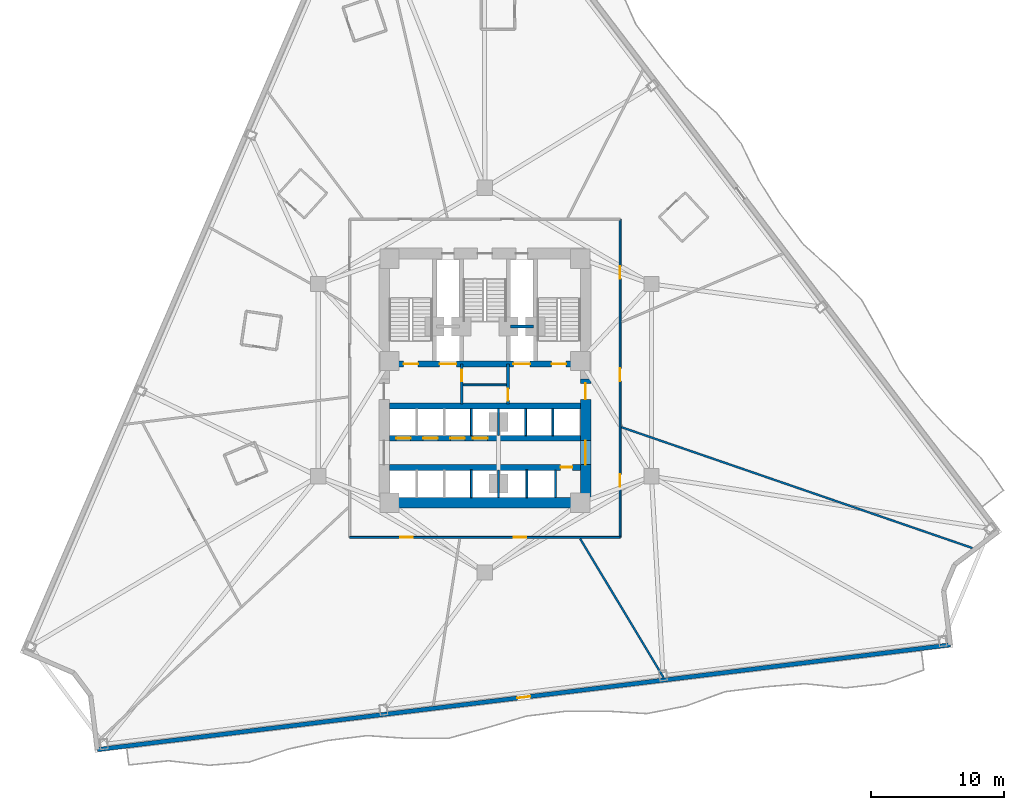
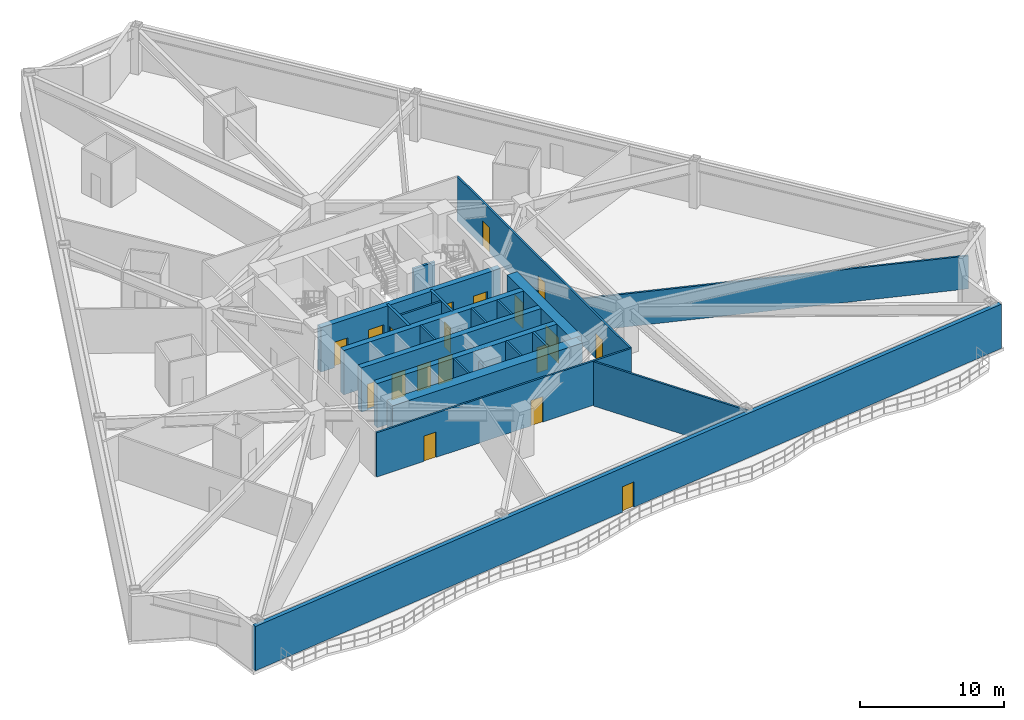
# One storey, part 4 of 10: 23 walls, 19 doors, 19 openings.
"""IFC4 building model written with IfcOpenShell, lengths in metres."""

from ifc_helpers import new_model, si_unit, direction, frame, frame_2d, origin, place, context, subcontext, project, spatial, rectangle, extrude, material, layer, layer_set, type_object, element, fill, save


model = new_model("IFC4")

# Units and contexts
model_context = context("Model", 3, precision=1e-05, world=origin(), true_north=direction((0.0, 1.0)))
body_context = subcontext(model_context, "Body", "Model", "MODEL_VIEW")
ifc_project = project(units=[si_unit("LENGTHUNIT", "METRE"), si_unit("AREAUNIT", "SQUARE_METRE"), si_unit("VOLUMEUNIT", "CUBIC_METRE"), si_unit("PLANEANGLEUNIT", "RADIAN"), si_unit("MASSUNIT", "GRAM", prefix="KILO")], contexts=[model_context])

# Site, building, storey
site_placement = place(None, origin())
site = spatial("IfcSite", under=ifc_project, at=site_placement, CompositionType="ELEMENT")
building_placement = place(site_placement, origin())
building = spatial("IfcBuilding", under=site, at=building_placement, Name="Apsidion Concourse Tower", CompositionType="ELEMENT")
storey_placement = place(building_placement, frame((0.0, 0.0, 87.0)))
storey = spatial("IfcBuildingStorey", under=building, at=storey_placement, Name="L19", CompositionType="ELEMENT", Elevation=87.0)

# Wall, opening, door
ifc_material_1 = material(Name="Precast concrete C40/50", Category="concrete")
ifc_layer_1 = layer(ifc_material_1, 0.320068359375)
ifc_layer_set_1 = layer_set([ifc_layer_1], Name="Precast concrete C40/50")
wall_type_1 = type_object("IfcWallType", Name="WL-EXT-320", PredefinedType="STANDARD", material=ifc_layer_set_1)
wall_1_placement = place(storey_placement, frame((35.0908203125, -19.961181640625, 0.0), z_axis=(0.0, 0.0, 1.0), x_axis=(-0.992546286146, -0.121868247946, 0.0)))
wall_1 = element("IfcWall", 1, at=wall_1_placement, inside=storey, type_object=wall_type_1, Name="L19 Precast Stone Facade Wall 05", PredefinedType="STANDARD", context=body_context, shape_type="SweptSolid", body=[
    extrude(rectangle(XDim=64.793212890625, YDim=0.320068359375, at=frame_2d((32.396484375, 0.0))), origin(), (0.0, 0.0, 1.0), 3.75),
])
opening_1_placement = place(wall_1_placement, frame((31.896728515625, 0.0, 0.0)))
opening_1 = element("IfcOpeningElement", 2, at=opening_1_placement, cuts=wall_1, Name="Opening D-T1R", PredefinedType="OPENING", context=body_context, shape_type="SweptSolid", body=[
    extrude(rectangle(XDim=1.0, YDim=2.14990234375, at=frame_2d((0.5, 1.074951171875))), frame((0.0, 0.169921875, 0.0), z_axis=(0.0, -1.0, 0.0), x_axis=(1.0, 0.0, 0.0)), (0.0, 0.0, 1.0), 0.340087890625),
])
ifc_material_2 = material(Name="Anodised aluminium EN AW-6063 T6", Category="aluminium")
door_type_1 = type_object("IfcDoorType", Name="DR-TER-1022R", OperationType="SINGLE_SWING_RIGHT", PredefinedType="DOOR", material=ifc_material_2)
door_1_placement = place(opening_1_placement, origin())
door_1 = element("IfcDoor", 3, at=door_1_placement, inside=storey, type_object=door_type_1, Name="L19 Balcony Access Door 1", OperationType="SINGLE_SWING_RIGHT", OverallHeight=2.14990234375, OverallWidth=1.0, PredefinedType="DOOR", context=body_context, shape_type="SweptSolid", body=[
    extrude(rectangle(XDim=1.0, YDim=2.14990234375, at=frame_2d((0.5, 1.074951171875))), frame((0.0, 0.02490234375, 0.0), z_axis=(0.0, -1.0, 0.0), x_axis=(1.0, 0.0, 0.0)), (0.0, 0.0, 1.0), 0.050048828125),
])
fill(opening_1, door_1)

# Walls
ifc_material_3 = material(Name="Gypsum plasterboard partition")
ifc_layer_2 = layer(ifc_material_3, 0.14990234375)
ifc_layer_set_2 = layer_set([ifc_layer_2], Name="Gypsum plasterboard partition")
wall_type_2 = type_object("IfcWallType", Name="WL-INT-PAR-150", PredefinedType="PARTITIONING", material=ifc_layer_set_2)
for number, where, z_axis, x_axis, name in (
    (4, (-1.02490234375, -4.179931640625, 0.0), (0.0, 0.0, 1.0), (0.0, 1.0, 0.0), "L19 Interior Partition WL-L19-B1DIV-3"),
    (5, (3.074951171875, -4.179931640625, 0.0), (0.0, 0.0, 1.0), (0.0, 1.0, 0.0), "L19 Interior Partition WL-L19-B3DIV-1"),
    (6, (5.125, -4.179931640625, 0.0), (0.0, 0.0, 1.0), (0.0, 1.0, 0.0), "L19 Interior Partition WL-L19-B3DIV-2"),
):
    element("IfcWall", number, at=place(storey_placement, frame(where, z_axis=z_axis, x_axis=x_axis)), inside=storey, type_object=wall_type_2, Name=name, PredefinedType="PARTITIONING", context=body_context, shape_type="SweptSolid", body=[
        extrude(rectangle(XDim=2.030029296875, YDim=0.14990234375, at=frame_2d((1.01513671875, 0.0))), origin(), (0.0, 0.0, 1.0), 3.75),
    ])
for number, where, z_axis, x_axis, name in (
    (7, (-1.02490234375, -8.85009765625, 0.0), (0.0, 0.0, 1.0), (0.0, 1.0, 0.0), "L19 Interior Partition WL-L19-B2DIV-3"),
    (8, (3.175048828125, -8.85009765625, 0.0), (0.0, 0.0, 1.0), (0.0, 1.0, 0.0), "L19 Interior Partition WL-L19-SHDIV-1"),
):
    element("IfcWall", number, at=place(storey_placement, frame(where, z_axis=z_axis, x_axis=x_axis)), inside=storey, type_object=wall_type_2, Name=name, PredefinedType="PARTITIONING", context=body_context, shape_type="SweptSolid", body=[
        extrude(rectangle(XDim=2.080078125, YDim=0.14990234375, at=frame_2d((1.0400390625, 0.0))), origin(), (0.0, 0.0, 1.0), 3.75),
    ])
wall_2_placement = place(storey_placement, frame((-1.6298828125, -0.35009765625, 0.0), z_axis=(0.0, 0.0, 1.0), x_axis=(1.0, 0.0, 0.0)))
element("IfcWall", 9, at=wall_2_placement, inside=storey, type_object=wall_type_2, Name="L19 Interior Partition WL-L19-K2H", PredefinedType="PARTITIONING", context=body_context, shape_type="SweptSolid", body=[
    extrude(rectangle(XDim=3.259765625, YDim=0.14990234375, at=frame_2d((1.6298828125, 0.0))), origin(), (0.0, 0.0, 1.0), 3.75),
])

# Wall, openings, doors
wall_3_placement = place(storey_placement, frame((10.199951171875, 12.14990234375, 0.0), z_axis=(0.0, 0.0, 1.0), x_axis=(0.0, -1.0, 0.0)))
wall_3 = element("IfcWall", 10, at=wall_3_placement, inside=storey, type_object=wall_type_2, Name="L19 Interior Partition WL-L19-CORR-02", PredefinedType="PARTITIONING", context=body_context, shape_type="SweptSolid", body=[
    extrude(rectangle(XDim=24.0, YDim=0.14990234375, at=frame_2d((12.0, 0.0))), origin(), (0.0, 0.0, 1.0), 3.75),
])
opening_2_placement = place(wall_3_placement, frame((19.245849609375, 0.0, 0.0)))
opening_2 = element("IfcOpeningElement", 11, at=opening_2_placement, cuts=wall_3, Name="Opening D-01R", PredefinedType="OPENING", context=body_context, shape_type="SweptSolid", body=[
    extrude(rectangle(XDim=0.949951171875, YDim=2.14990234375, at=frame_2d((0.47509765625, 1.074951171875))), frame((0.0, 0.0849609375, 0.0), z_axis=(0.0, -1.0, 0.0), x_axis=(1.0, 0.0, 0.0)), (0.0, 0.0, 1.0), 0.169921875),
])
opening_3_placement = place(wall_3_placement, frame((11.263427734375, 0.0, 0.0)))
opening_3 = element("IfcOpeningElement", 12, at=opening_3_placement, cuts=wall_3, Name="Opening D-01L", PredefinedType="OPENING", context=body_context, shape_type="SweptSolid", body=[
    extrude(rectangle(XDim=0.949951171875, YDim=2.14990234375, at=frame_2d((0.47509765625, 1.074951171875))), frame((0.0, 0.0849609375, 0.0), z_axis=(0.0, -1.0, 0.0), x_axis=(1.0, 0.0, 0.0)), (0.0, 0.0, 1.0), 0.169921875),
])
opening_4_placement = place(wall_3_placement, frame((3.54248046875, 0.0, 0.0)))
opening_4 = element("IfcOpeningElement", 13, at=opening_4_placement, cuts=wall_3, Name="Opening D-01R", PredefinedType="OPENING", context=body_context, shape_type="SweptSolid", body=[
    extrude(rectangle(XDim=0.949951171875, YDim=2.14990234375, at=frame_2d((0.47509765625, 1.074951171875))), frame((0.0, 0.0849609375, 0.0), z_axis=(0.0, -1.0, 0.0), x_axis=(1.0, 0.0, 0.0)), (0.0, 0.0, 1.0), 0.169921875),
])
ifc_material_4 = material(Name="Brushed stainless steel 316", Category="steel")
door_type_2 = type_object("IfcDoorType", Name="DR-INT-D01L", OperationType="SINGLE_SWING_LEFT", PredefinedType="DOOR", material=ifc_material_4)
door_2_placement = place(opening_3_placement, origin())
door_2 = element("IfcDoor", 14, at=door_2_placement, inside=storey, type_object=door_type_2, Name="L19 Corridor Entry Door 05", OperationType="SINGLE_SWING_LEFT", OverallHeight=2.14990234375, OverallWidth=0.949951171875, PredefinedType="DOOR", context=body_context, shape_type="SweptSolid", body=[
    extrude(rectangle(XDim=0.949951171875, YDim=2.14990234375, at=frame_2d((0.47509765625, 1.074951171875))), frame((0.0, 0.02490234375, 0.0), z_axis=(0.0, -1.0, 0.0), x_axis=(1.0, 0.0, 0.0)), (0.0, 0.0, 1.0), 0.050048828125),
])
fill(opening_3, door_2)
door_type_3 = type_object("IfcDoorType", Name="DR-INT-D01R", OperationType="SINGLE_SWING_RIGHT", PredefinedType="DOOR", material=ifc_material_4)
door_3_placement = place(opening_2_placement, origin())
door_3 = element("IfcDoor", 15, at=door_3_placement, inside=storey, type_object=door_type_3, Name="L19 Corridor Entry Door 04", OperationType="SINGLE_SWING_RIGHT", OverallHeight=2.14990234375, OverallWidth=0.949951171875, PredefinedType="DOOR", context=body_context, shape_type="SweptSolid", body=[
    extrude(rectangle(XDim=0.949951171875, YDim=2.14990234375, at=frame_2d((0.47509765625, 1.074951171875))), frame((0.0, 0.02490234375, 0.0), z_axis=(0.0, -1.0, 0.0), x_axis=(1.0, 0.0, 0.0)), (0.0, 0.0, 1.0), 0.050048828125),
])
fill(opening_2, door_3)
door_4_placement = place(opening_4_placement, origin())
door_4 = element("IfcDoor", 16, at=door_4_placement, inside=storey, type_object=door_type_3, Name="L19 Corridor Entry Door 06", OperationType="SINGLE_SWING_RIGHT", OverallHeight=2.14990234375, OverallWidth=0.949951171875, PredefinedType="DOOR", context=body_context, shape_type="SweptSolid", body=[
    extrude(rectangle(XDim=0.949951171875, YDim=2.14990234375, at=frame_2d((0.47509765625, 1.074951171875))), frame((0.0, 0.02490234375, 0.0), z_axis=(0.0, -1.0, 0.0), x_axis=(1.0, 0.0, 0.0)), (0.0, 0.0, 1.0), 0.050048828125),
])
fill(opening_4, door_4)

wall_4_placement = place(storey_placement, frame((10.199951171875, -11.85009765625, 0.0), z_axis=(0.0, 0.0, 1.0), x_axis=(-1.0, 0.0, 0.0)))
wall_4 = element("IfcWall", 17, at=wall_4_placement, inside=storey, type_object=wall_type_2, Name="L19 Interior Partition WL-L19-CORR-03", PredefinedType="PARTITIONING", context=body_context, shape_type="SweptSolid", body=[
    extrude(rectangle(XDim=20.39990234375, YDim=0.14990234375, at=frame_2d((10.199951171875, 0.0))), origin(), (0.0, 0.0, 1.0), 3.75),
])
opening_5_placement = place(wall_4_placement, frame((15.64306640625, 0.0, 0.0)))
opening_5 = element("IfcOpeningElement", 18, at=opening_5_placement, cuts=wall_4, Name="Opening D-01R", PredefinedType="OPENING", context=body_context, shape_type="SweptSolid", body=[
    extrude(rectangle(XDim=0.949951171875, YDim=2.14990234375, at=frame_2d((0.47509765625, 1.074951171875))), frame((0.0, 0.0849609375, 0.0), z_axis=(0.0, -1.0, 0.0), x_axis=(1.0, 0.0, 0.0)), (0.0, 0.0, 1.0), 0.169921875),
])
opening_6_placement = place(wall_4_placement, frame((7.083251953125, 0.0, 0.0)))
opening_6 = element("IfcOpeningElement", 19, at=opening_6_placement, cuts=wall_4, Name="Opening D-01L", PredefinedType="OPENING", context=body_context, shape_type="SweptSolid", body=[
    extrude(rectangle(XDim=0.949951171875, YDim=2.14990234375, at=frame_2d((0.47509765625, 1.074951171875))), frame((0.0, 0.0849609375, 0.0), z_axis=(0.0, -1.0, 0.0), x_axis=(1.0, 0.0, 0.0)), (0.0, 0.0, 1.0), 0.169921875),
])
door_5_placement = place(opening_6_placement, origin())
door_5 = element("IfcDoor", 20, at=door_5_placement, inside=storey, type_object=door_type_2, Name="L19 Corridor Entry Door 03", OperationType="SINGLE_SWING_LEFT", OverallHeight=2.14990234375, OverallWidth=0.949951171875, PredefinedType="DOOR", context=body_context, shape_type="SweptSolid", body=[
    extrude(rectangle(XDim=0.949951171875, YDim=2.14990234375, at=frame_2d((0.47509765625, 1.074951171875))), frame((0.0, 0.02490234375, 0.0), z_axis=(0.0, -1.0, 0.0), x_axis=(1.0, 0.0, 0.0)), (0.0, 0.0, 1.0), 0.050048828125),
])
fill(opening_6, door_5)
door_6_placement = place(opening_5_placement, origin())
door_6 = element("IfcDoor", 21, at=door_6_placement, inside=storey, type_object=door_type_3, Name="L19 Corridor Entry Door 02", OperationType="SINGLE_SWING_RIGHT", OverallHeight=2.14990234375, OverallWidth=0.949951171875, PredefinedType="DOOR", context=body_context, shape_type="SweptSolid", body=[
    extrude(rectangle(XDim=0.949951171875, YDim=2.14990234375, at=frame_2d((0.47509765625, 1.074951171875))), frame((0.0, 0.02490234375, 0.0), z_axis=(0.0, -1.0, 0.0), x_axis=(1.0, 0.0, 0.0)), (0.0, 0.0, 1.0), 0.050048828125),
])
fill(opening_5, door_6)

# Walls
wall_5_placement = place(storey_placement, frame((7.183349609375, -11.955078125, 0.0), z_axis=(0.0, 0.0, 1.0), x_axis=(0.515041693949, -0.857165126154, 0.0)))
element("IfcWall", 22, at=wall_5_placement, inside=storey, type_object=wall_type_2, Name="L19 Interior Partition WL-L19-RAD-09-1", PredefinedType="PARTITIONING", context=body_context, shape_type="SweptSolid", body=[
    extrude(rectangle(XDim=12.229736328125, YDim=0.14990234375, at=frame_2d((6.11474609375, 0.0))), origin(), (0.0, 0.0, 1.0), 3.75),
])
wall_6_placement = place(storey_placement, frame((10.304931640625, -3.54833984375, 0.0), z_axis=(0.0, 0.0, 1.0), x_axis=(0.9455199321, -0.325564214867, 0.0)))
element("IfcWall", 23, at=wall_6_placement, inside=storey, type_object=wall_type_2, Name="L19 Interior Partition WL-L19-RAD-10-1", PredefinedType="PARTITIONING", context=body_context, shape_type="SweptSolid", body=[
    extrude(rectangle(XDim=27.983154296875, YDim=0.14990234375, at=frame_2d((13.99169921875, 0.0))), origin(), (0.0, 0.0, 1.0), 2.798095703125),
])
ifc_layer_3 = layer(ifc_material_3, 0.179931640625)
ifc_layer_set_3 = layer_set([ifc_layer_3], Name="Gypsum plasterboard partition")
wall_type_3 = type_object("IfcWallType", Name="WL-INT-PAR-180", PredefinedType="PARTITIONING", material=ifc_layer_set_3)
wall_7_placement = place(storey_placement, frame((1.02490234375, -4.179931640625, 0.0), z_axis=(0.0, 0.0, 1.0), x_axis=(0.0, 1.0, 0.0)))
element("IfcWall", 24, at=wall_7_placement, inside=storey, type_object=wall_type_3, Name="L19 Interior Partition WL-L19-B1END", PredefinedType="PARTITIONING", context=body_context, shape_type="SweptSolid", body=[
    extrude(rectangle(XDim=2.030029296875, YDim=0.179931640625, at=frame_2d((1.01513671875, 0.0))), origin(), (0.0, 0.0, 1.0), 2.798095703125),
])
wall_8_placement = place(storey_placement, frame((1.02490234375, -8.85009765625, 0.0), z_axis=(0.0, 0.0, 1.0), x_axis=(0.0, 1.0, 0.0)))
element("IfcWall", 25, at=wall_8_placement, inside=storey, type_object=wall_type_3, Name="L19 Interior Partition WL-L19-B2END", PredefinedType="PARTITIONING", context=body_context, shape_type="SweptSolid", body=[
    extrude(rectangle(XDim=2.080078125, YDim=0.179931640625, at=frame_2d((1.0400390625, 0.0))), origin(), (0.0, 0.0, 1.0), 2.798095703125),
])
wall_9_placement = place(storey_placement, frame((5.324951171875, -8.85009765625, 0.0), z_axis=(0.0, 0.0, 1.0), x_axis=(0.0, 1.0, 0.0)))
element("IfcWall", 26, at=wall_9_placement, inside=storey, type_object=wall_type_3, Name="L19 Interior Partition WL-L19-SHDIV-2", PredefinedType="PARTITIONING", context=body_context, shape_type="SweptSolid", body=[
    extrude(rectangle(XDim=2.080078125, YDim=0.179931640625, at=frame_2d((1.0400390625, 0.0))), origin(), (0.0, 0.0, 1.0), 3.75),
])
ifc_layer_4 = layer(ifc_material_3, 0.199951171875)
ifc_layer_set_4 = layer_set([ifc_layer_4], Name="Gypsum plasterboard partition")
wall_type_4 = type_object("IfcWallType", Name="WL-INT-PAR-200", PredefinedType="PARTITIONING", material=ifc_layer_set_4)
wall_10_placement = place(storey_placement, frame((1.919921875, 4.050048828125, 0.0), z_axis=(0.0, 0.0, 1.0), x_axis=(1.0, 0.0, 0.0)))
element("IfcWall", 27, at=wall_10_placement, inside=storey, type_object=wall_type_4, Name="L19 Interior Partition WL-L19-FF2-N", PredefinedType="PARTITIONING", context=body_context, shape_type="SweptSolid", body=[
    extrude(rectangle(XDim=1.72998046875, YDim=0.199951171875, at=frame_2d((0.864990234375, 0.0))), origin(), (0.0, 0.0, 1.0), 3.75),
])

# Wall, opening, door
wall_11_placement = place(storey_placement, frame((-1.739990234375, -1.780029296875, 0.0), z_axis=(0.0, 0.0, 1.0), x_axis=(0.0, 1.0, 0.0)))
wall_11 = element("IfcWall", 28, at=wall_11_placement, inside=storey, type_object=wall_type_4, Name="L19 Interior Partition WL-L19-FF1-E", PredefinedType="PARTITIONING", context=body_context, shape_type="SweptSolid", body=[
    extrude(rectangle(XDim=2.97998046875, YDim=0.199951171875, at=frame_2d((1.489990234375, 0.0))), origin(), (0.0, 0.0, 1.0), 3.75),
])
opening_7_placement = place(wall_11_placement, frame((1.68994140625, 0.0, 0.0)))
opening_7 = element("IfcOpeningElement", 29, at=opening_7_placement, cuts=wall_11, Name="Opening D-05L", PredefinedType="OPENING", context=body_context, shape_type="SweptSolid", body=[
    extrude(rectangle(XDim=0.8798828125, YDim=2.14990234375, at=frame_2d((0.43994140625, 1.074951171875))), frame((0.0, 0.10986328125, 0.0), z_axis=(0.0, -1.0, 0.0), x_axis=(1.0, 0.0, 0.0)), (0.0, 0.0, 1.0), 0.219970703125),
])
door_type_4 = type_object("IfcDoorType", Name="DR-INT-D05L", OperationType="SINGLE_SWING_LEFT", PredefinedType="DOOR", material=ifc_material_4)
door_7_placement = place(opening_7_placement, origin())
door_7 = element("IfcDoor", 30, at=door_7_placement, inside=storey, type_object=door_type_4, Name="L19 Core Staff WC Door", OperationType="SINGLE_SWING_LEFT", OverallHeight=2.14990234375, OverallWidth=0.8798828125, PredefinedType="DOOR", context=body_context, shape_type="SweptSolid", body=[
    extrude(rectangle(XDim=0.8798828125, YDim=2.14990234375, at=frame_2d((0.43994140625, 1.074951171875))), frame((0.0, 0.02490234375, 0.0), z_axis=(0.0, -1.0, 0.0), x_axis=(1.0, 0.0, 0.0)), (0.0, 0.0, 1.0), 0.050048828125),
])
fill(opening_7, door_7)

wall_12_placement = place(storey_placement, frame((1.739990234375, -1.780029296875, 0.0), z_axis=(0.0, 0.0, 1.0), x_axis=(0.0, 1.0, 0.0)))
wall_12 = element("IfcWall", 31, at=wall_12_placement, inside=storey, type_object=wall_type_4, Name="L19 Interior Partition WL-L19-FF2-W", PredefinedType="PARTITIONING", context=body_context, shape_type="SweptSolid", body=[
    extrude(rectangle(XDim=2.97998046875, YDim=0.199951171875, at=frame_2d((1.489990234375, 0.0))), origin(), (0.0, 0.0, 1.0), 3.75),
])
opening_8_placement = place(wall_12_placement, frame((0.239990234375, 0.0, 0.0)))
opening_8 = element("IfcOpeningElement", 32, at=opening_8_placement, cuts=wall_12, Name="Opening D-05R", PredefinedType="OPENING", context=body_context, shape_type="SweptSolid", body=[
    extrude(rectangle(XDim=0.8798828125, YDim=2.14990234375, at=frame_2d((0.43994140625, 1.074951171875))), frame((0.0, 0.10986328125, 0.0), z_axis=(0.0, -1.0, 0.0), x_axis=(1.0, 0.0, 0.0)), (0.0, 0.0, 1.0), 0.219970703125),
])
door_type_5 = type_object("IfcDoorType", Name="DR-INT-D05R", OperationType="SINGLE_SWING_RIGHT", PredefinedType="DOOR", material=ifc_material_4)
door_8_placement = place(opening_8_placement, origin())
door_8 = element("IfcDoor", 33, at=door_8_placement, inside=storey, type_object=door_type_5, Name="L19 Core Supply Store Door", OperationType="SINGLE_SWING_RIGHT", OverallHeight=2.14990234375, OverallWidth=0.8798828125, PredefinedType="DOOR", context=body_context, shape_type="SweptSolid", body=[
    extrude(rectangle(XDim=0.8798828125, YDim=2.14990234375, at=frame_2d((0.43994140625, 1.074951171875))), frame((0.0, 0.02490234375, 0.0), z_axis=(0.0, -1.0, 0.0), x_axis=(1.0, 0.0, 0.0)), (0.0, 0.0, 1.0), 0.050048828125),
])
fill(opening_8, door_8)

# Wall, openings, doors
ifc_material_5 = material(Name="Concrete C60/75", Category="concrete")
ifc_layer_5 = layer(ifc_material_5, 0.449951171875)
ifc_layer_set_5 = layer_set([ifc_layer_5], Name="Concrete C60/75")
wall_type_5 = type_object("IfcWallType", Name="WL-SH-450", PredefinedType="SHEAR", material=ifc_layer_set_5)
wall_13_placement = place(storey_placement, frame((-7.199951171875, 1.22509765625, 0.0), z_axis=(0.0, 0.0, 1.0), x_axis=(1.0, 0.0, 0.0)))
wall_13 = element("IfcWall", 34, at=wall_13_placement, inside=storey, type_object=wall_type_5, Name="L19 Central Core Shear Wall M1", PredefinedType="SHEAR", context=body_context, shape_type="SweptSolid", body=[
    extrude(rectangle(XDim=14.39990234375, YDim=0.449951171875, at=frame_2d((7.199951171875, 0.0))), origin(), (0.0, 0.0, 1.0), 3.75),
])
opening_9_placement = place(wall_13_placement, frame((3.794921875, 0.0, 0.0)))
opening_9 = element("IfcOpeningElement", 35, at=opening_9_placement, cuts=wall_13, Name="Opening LD-FF", PredefinedType="OPENING", context=body_context, shape_type="SweptSolid", body=[
    extrude(rectangle(XDim=1.25, YDim=2.25, at=frame_2d((0.625, 1.125))), frame((0.0, 0.23486328125, 0.0), z_axis=(0.0, -1.0, 0.0), x_axis=(1.0, 0.0, 0.0)), (0.0, 0.0, 1.0), 0.469970703125),
])
opening_10_placement = place(wall_13_placement, frame((9.35498046875, 0.0, 0.0)))
opening_10 = element("IfcOpeningElement", 36, at=opening_10_placement, cuts=wall_13, Name="Opening LD-FF", PredefinedType="OPENING", context=body_context, shape_type="SweptSolid", body=[
    extrude(rectangle(XDim=1.25, YDim=2.25, at=frame_2d((0.625, 1.125))), frame((0.0, 0.23486328125, 0.0), z_axis=(0.0, -1.0, 0.0), x_axis=(1.0, 0.0, 0.0)), (0.0, 0.0, 1.0), 0.469970703125),
])
opening_11_placement = place(wall_13_placement, frame((1.074951171875, 0.0, 0.0)))
opening_11 = element("IfcOpeningElement", 37, at=opening_11_placement, cuts=wall_13, Name="Opening D-STL", PredefinedType="OPENING", context=body_context, shape_type="SweptSolid", body=[
    extrude(rectangle(XDim=1.10009765625, YDim=2.14990234375, at=frame_2d((0.550048828125, 1.074951171875))), frame((0.0, 0.23486328125, 0.0), z_axis=(0.0, -1.0, 0.0), x_axis=(1.0, 0.0, 0.0)), (0.0, 0.0, 1.0), 0.469970703125),
])
opening_12_placement = place(wall_13_placement, frame((12.22509765625, 0.0, 0.0)))
opening_12 = element("IfcOpeningElement", 38, at=opening_12_placement, cuts=wall_13, Name="Opening D-STR", PredefinedType="OPENING", context=body_context, shape_type="SweptSolid", body=[
    extrude(rectangle(XDim=1.10009765625, YDim=2.14990234375, at=frame_2d((0.550048828125, 1.074951171875))), frame((0.0, 0.23486328125, 0.0), z_axis=(0.0, -1.0, 0.0), x_axis=(1.0, 0.0, 0.0)), (0.0, 0.0, 1.0), 0.469970703125),
])
door_type_6 = type_object("IfcDoorType", Name="DR-INT-ST1L", OperationType="SINGLE_SWING_LEFT", PredefinedType="DOOR", material=ifc_material_4)
door_9_placement = place(opening_11_placement, origin())
door_9 = element("IfcDoor", 39, at=door_9_placement, inside=storey, type_object=door_type_6, Name="L19 Core Exit Stair ST1 Door", OperationType="SINGLE_SWING_LEFT", OverallHeight=2.14990234375, OverallWidth=1.10009765625, PredefinedType="DOOR", context=body_context, shape_type="SweptSolid", body=[
    extrude(rectangle(XDim=1.10009765625, YDim=2.14990234375, at=frame_2d((0.550048828125, 1.074951171875))), frame((0.0, 0.02490234375, 0.0), z_axis=(0.0, -1.0, 0.0), x_axis=(1.0, 0.0, 0.0)), (0.0, 0.0, 1.0), 0.050048828125),
])
fill(opening_11, door_9)
door_type_7 = type_object("IfcDoorType", Name="DR-INT-ST1R", OperationType="SINGLE_SWING_RIGHT", PredefinedType="DOOR", material=ifc_material_4)
door_10_placement = place(opening_12_placement, origin())
door_10 = element("IfcDoor", 40, at=door_10_placement, inside=storey, type_object=door_type_7, Name="L19 Core Exit Stair ST2 Door", OperationType="SINGLE_SWING_RIGHT", OverallHeight=2.14990234375, OverallWidth=1.10009765625, PredefinedType="DOOR", context=body_context, shape_type="SweptSolid", body=[
    extrude(rectangle(XDim=1.10009765625, YDim=2.14990234375, at=frame_2d((0.550048828125, 1.074951171875))), frame((0.0, 0.02490234375, 0.0), z_axis=(0.0, -1.0, 0.0), x_axis=(1.0, 0.0, 0.0)), (0.0, 0.0, 1.0), 0.050048828125),
])
fill(opening_12, door_10)
door_type_8 = type_object("IfcDoorType", Name="DR-LD-FSAE", OperationType="DOUBLE_DOOR_SLIDING", PredefinedType="DOOR", material=ifc_material_4)
door_11_placement = place(opening_9_placement, origin())
door_11 = element("IfcDoor", 41, at=door_11_placement, inside=storey, type_object=door_type_8, Name="L19 Lift Landing Door FF1", OperationType="DOUBLE_DOOR_SLIDING", OverallHeight=2.25, OverallWidth=1.25, PredefinedType="DOOR", context=body_context, shape_type="SweptSolid", body=[
    extrude(rectangle(XDim=1.25, YDim=2.25, at=frame_2d((0.625, 1.125))), frame((0.0, 0.02490234375, 0.0), z_axis=(0.0, -1.0, 0.0), x_axis=(1.0, 0.0, 0.0)), (0.0, 0.0, 1.0), 0.050048828125),
])
fill(opening_9, door_11)
door_12_placement = place(opening_10_placement, origin())
door_12 = element("IfcDoor", 42, at=door_12_placement, inside=storey, type_object=door_type_8, Name="L19 Lift Landing Door FF2", OperationType="DOUBLE_DOOR_SLIDING", OverallHeight=2.25, OverallWidth=1.25, PredefinedType="DOOR", context=body_context, shape_type="SweptSolid", body=[
    extrude(rectangle(XDim=1.25, YDim=2.25, at=frame_2d((0.625, 1.125))), frame((0.0, 0.02490234375, 0.0), z_axis=(0.0, -1.0, 0.0), x_axis=(1.0, 0.0, 0.0)), (0.0, 0.0, 1.0), 0.050048828125),
])
fill(opening_10, door_12)

# Wall
wall_14_placement = place(storey_placement, frame((-7.199951171875, -1.949951171875, 0.0), z_axis=(0.0, 0.0, 1.0), x_axis=(1.0, 0.0, 0.0)))
element("IfcWall", 43, at=wall_14_placement, inside=storey, type_object=wall_type_5, Name="L19 Central Core Shear Wall M2", PredefinedType="SHEAR", context=body_context, shape_type="SweptSolid", body=[
    extrude(rectangle(XDim=14.39990234375, YDim=0.449951171875, at=frame_2d((7.199951171875, 0.0))), origin(), (0.0, 0.0, 1.0), 3.75),
])

# Wall, openings, doors
wall_15_placement = place(storey_placement, frame((-7.199951171875, -4.3798828125, 0.0), z_axis=(0.0, 0.0, 1.0), x_axis=(1.0, 0.0, 0.0)))
wall_15 = element("IfcWall", 44, at=wall_15_placement, inside=storey, type_object=wall_type_5, Name="L19 Central Core Shear Wall LA", PredefinedType="SHEAR", context=body_context, shape_type="SweptSolid", body=[
    extrude(rectangle(XDim=14.39990234375, YDim=0.449951171875, at=frame_2d((7.199951171875, 0.0))), origin(), (0.0, 0.0, 1.0), 3.75),
])
opening_13_placement = place(wall_15_placement, frame((0.5, 0.0, 0.0)))
opening_13 = element("IfcOpeningElement", 45, at=opening_13_placement, cuts=wall_15, Name="Opening LD-P1", PredefinedType="OPENING", context=body_context, shape_type="SweptSolid", body=[
    extrude(rectangle(XDim=1.10009765625, YDim=2.199951171875, at=frame_2d((0.550048828125, 1.10009765625))), frame((0.0, 0.23486328125, 0.0), z_axis=(0.0, -1.0, 0.0), x_axis=(1.0, 0.0, 0.0)), (0.0, 0.0, 1.0), 0.469970703125),
])
opening_14_placement = place(wall_15_placement, frame((2.550048828125, 0.0, 0.0)))
opening_14 = element("IfcOpeningElement", 46, at=opening_14_placement, cuts=wall_15, Name="Opening LD-P1", PredefinedType="OPENING", context=body_context, shape_type="SweptSolid", body=[
    extrude(rectangle(XDim=1.10009765625, YDim=2.199951171875, at=frame_2d((0.550048828125, 1.10009765625))), frame((0.0, 0.23486328125, 0.0), z_axis=(0.0, -1.0, 0.0), x_axis=(1.0, 0.0, 0.0)), (0.0, 0.0, 1.0), 0.469970703125),
])
opening_15_placement = place(wall_15_placement, frame((4.60009765625, 0.0, 0.0)))
opening_15 = element("IfcOpeningElement", 47, at=opening_15_placement, cuts=wall_15, Name="Opening LD-P1", PredefinedType="OPENING", context=body_context, shape_type="SweptSolid", body=[
    extrude(rectangle(XDim=1.10009765625, YDim=2.199951171875, at=frame_2d((0.550048828125, 1.10009765625))), frame((0.0, 0.23486328125, 0.0), z_axis=(0.0, -1.0, 0.0), x_axis=(1.0, 0.0, 0.0)), (0.0, 0.0, 1.0), 0.469970703125),
])
opening_16_placement = place(wall_15_placement, frame((6.300048828125, 0.0, 0.0)))
opening_16 = element("IfcOpeningElement", 48, at=opening_16_placement, cuts=wall_15, Name="Opening LD-P1", PredefinedType="OPENING", context=body_context, shape_type="SweptSolid", body=[
    extrude(rectangle(XDim=1.10009765625, YDim=2.199951171875, at=frame_2d((0.550048828125, 1.10009765625))), frame((0.0, 0.23486328125, 0.0), z_axis=(0.0, -1.0, 0.0), x_axis=(1.0, 0.0, 0.0)), (0.0, 0.0, 1.0), 0.469970703125),
])
door_type_9 = type_object("IfcDoorType", Name="DR-LD-PASS", OperationType="DOUBLE_DOOR_SLIDING", PredefinedType="DOOR", material=ifc_material_4)
door_13_placement = place(opening_13_placement, origin())
door_13 = element("IfcDoor", 49, at=door_13_placement, inside=storey, type_object=door_type_9, Name="L19 Lift Landing Door P1", OperationType="DOUBLE_DOOR_SLIDING", OverallHeight=2.199951171875, OverallWidth=1.10009765625, PredefinedType="DOOR", context=body_context, shape_type="SweptSolid", body=[
    extrude(rectangle(XDim=1.10009765625, YDim=2.199951171875, at=frame_2d((0.550048828125, 1.10009765625))), frame((0.0, 0.02490234375, 0.0), z_axis=(0.0, -1.0, 0.0), x_axis=(1.0, 0.0, 0.0)), (0.0, 0.0, 1.0), 0.050048828125),
])
fill(opening_13, door_13)
door_14_placement = place(opening_14_placement, origin())
door_14 = element("IfcDoor", 50, at=door_14_placement, inside=storey, type_object=door_type_9, Name="L19 Lift Landing Door P2", OperationType="DOUBLE_DOOR_SLIDING", OverallHeight=2.199951171875, OverallWidth=1.10009765625, PredefinedType="DOOR", context=body_context, shape_type="SweptSolid", body=[
    extrude(rectangle(XDim=1.10009765625, YDim=2.199951171875, at=frame_2d((0.550048828125, 1.10009765625))), frame((0.0, 0.02490234375, 0.0), z_axis=(0.0, -1.0, 0.0), x_axis=(1.0, 0.0, 0.0)), (0.0, 0.0, 1.0), 0.050048828125),
])
fill(opening_14, door_14)
door_15_placement = place(opening_15_placement, origin())
door_15 = element("IfcDoor", 51, at=door_15_placement, inside=storey, type_object=door_type_9, Name="L19 Lift Landing Door P3", OperationType="DOUBLE_DOOR_SLIDING", OverallHeight=2.199951171875, OverallWidth=1.10009765625, PredefinedType="DOOR", context=body_context, shape_type="SweptSolid", body=[
    extrude(rectangle(XDim=1.10009765625, YDim=2.199951171875, at=frame_2d((0.550048828125, 1.10009765625))), frame((0.0, 0.02490234375, 0.0), z_axis=(0.0, -1.0, 0.0), x_axis=(1.0, 0.0, 0.0)), (0.0, 0.0, 1.0), 0.050048828125),
])
fill(opening_15, door_15)
door_16_placement = place(opening_16_placement, origin())
door_16 = element("IfcDoor", 52, at=door_16_placement, inside=storey, type_object=door_type_9, Name="L19 Lift Landing Door P4", OperationType="DOUBLE_DOOR_SLIDING", OverallHeight=2.199951171875, OverallWidth=1.10009765625, PredefinedType="DOOR", context=body_context, shape_type="SweptSolid", body=[
    extrude(rectangle(XDim=1.10009765625, YDim=2.199951171875, at=frame_2d((0.550048828125, 1.10009765625))), frame((0.0, 0.02490234375, 0.0), z_axis=(0.0, -1.0, 0.0), x_axis=(1.0, 0.0, 0.0)), (0.0, 0.0, 1.0), 0.050048828125),
])
fill(opening_16, door_16)

# Wall, opening, door
wall_16_placement = place(storey_placement, frame((-7.199951171875, -6.570068359375, 0.0), z_axis=(0.0, 0.0, 1.0), x_axis=(1.0, 0.0, 0.0)))
wall_16 = element("IfcWall", 53, at=wall_16_placement, inside=storey, type_object=wall_type_5, Name="L19 Central Core Shear Wall LB", PredefinedType="SHEAR", context=body_context, shape_type="SweptSolid", body=[
    extrude(rectangle(XDim=14.39990234375, YDim=0.449951171875, at=frame_2d((7.199951171875, 0.0))), origin(), (0.0, 0.0, 1.0), 3.75),
])
opening_17_placement = place(wall_16_placement, frame((12.909912109375, 0.0, 0.0)))
opening_17 = element("IfcOpeningElement", 54, at=opening_17_placement, cuts=wall_16, Name="Opening D-05L", PredefinedType="OPENING", context=body_context, shape_type="SweptSolid", body=[
    extrude(rectangle(XDim=0.8798828125, YDim=2.14990234375, at=frame_2d((0.43994140625, 1.074951171875))), frame((0.0, 0.23486328125, 0.0), z_axis=(0.0, -1.0, 0.0), x_axis=(1.0, 0.0, 0.0)), (0.0, 0.0, 1.0), 0.469970703125),
])
door_17_placement = place(opening_17_placement, origin())
door_17 = element("IfcDoor", 55, at=door_17_placement, inside=storey, type_object=door_type_4, Name="L19 Cleaners Store Door", OperationType="SINGLE_SWING_LEFT", OverallHeight=2.14990234375, OverallWidth=0.8798828125, PredefinedType="DOOR", context=body_context, shape_type="SweptSolid", body=[
    extrude(rectangle(XDim=0.8798828125, YDim=2.14990234375, at=frame_2d((0.43994140625, 1.074951171875))), frame((0.0, 0.02490234375, 0.0), z_axis=(0.0, -1.0, 0.0), x_axis=(1.0, 0.0, 0.0)), (0.0, 0.0, 1.0), 0.050048828125),
])
fill(opening_17, door_17)

# Wall, openings, doors
ifc_layer_6 = layer(ifc_material_5, 0.800048828125)
ifc_layer_set_6 = layer_set([ifc_layer_6], Name="Concrete C60/75")
wall_type_6 = type_object("IfcWallType", Name="WL-SH-800", PredefinedType="SHEAR", material=ifc_layer_set_6)
wall_17_placement = place(storey_placement, frame((7.60009765625, -8.85009765625, 0.0), z_axis=(0.0, 0.0, 1.0), x_axis=(0.0, 1.0, 0.0)))
wall_17 = element("IfcWall", 56, at=wall_17_placement, inside=storey, type_object=wall_type_6, Name="L19 Central Core Shear Wall ES", PredefinedType="SHEAR", context=body_context, shape_type="SweptSolid", body=[
    extrude(rectangle(XDim=8.9501953125, YDim=0.800048828125, at=frame_2d((4.47509765625, 0.0))), origin(), (0.0, 0.0, 1.0), 3.75),
])
opening_18_placement = place(wall_17_placement, frame((2.489990234375, 0.0, 0.0)))
opening_18 = element("IfcOpeningElement", 57, at=opening_18_placement, cuts=wall_17, Name="Opening D-06D", PredefinedType="OPENING", context=body_context, shape_type="SweptSolid", body=[
    extrude(rectangle(XDim=1.800048828125, YDim=2.199951171875, at=frame_2d((0.89990234375, 1.10009765625))), frame((0.0, 0.41015625, 0.0), z_axis=(0.0, -1.0, 0.0), x_axis=(1.0, 0.0, 0.0)), (0.0, 0.0, 1.0), 0.820068359375),
])
opening_19_placement = place(wall_17_placement, frame((7.39990234375, 0.0, 0.0)))
opening_19 = element("IfcOpeningElement", 58, at=opening_19_placement, cuts=wall_17, Name="Opening D-FFR", PredefinedType="OPENING", context=body_context, shape_type="SweptSolid", body=[
    extrude(rectangle(XDim=1.199951171875, YDim=2.14990234375, at=frame_2d((0.60009765625, 1.074951171875))), frame((0.0, 0.41015625, 0.0), z_axis=(0.0, -1.0, 0.0), x_axis=(1.0, 0.0, 0.0)), (0.0, 0.0, 1.0), 0.820068359375),
])
door_type_10 = type_object("IfcDoorType", Name="DR-INT-D06D", OperationType="DOUBLE_DOOR_SINGLE_SWING", PredefinedType="DOOR", material=ifc_material_4)
door_18_placement = place(opening_18_placement, origin())
door_18 = element("IfcDoor", 59, at=door_18_placement, inside=storey, type_object=door_type_10, Name="L19 Passenger Lift Lobby ES Portal Door", OperationType="DOUBLE_DOOR_SINGLE_SWING", OverallHeight=2.199951171875, OverallWidth=1.800048828125, PredefinedType="DOOR", context=body_context, shape_type="SweptSolid", body=[
    extrude(rectangle(XDim=1.800048828125, YDim=2.199951171875, at=frame_2d((0.89990234375, 1.10009765625))), frame((0.0, 0.02490234375, 0.0), z_axis=(0.0, -1.0, 0.0), x_axis=(1.0, 0.0, 0.0)), (0.0, 0.0, 1.0), 0.050048828125),
])
fill(opening_18, door_18)
door_type_11 = type_object("IfcDoorType", Name="DR-INT-FFR", OperationType="SINGLE_SWING_RIGHT", PredefinedType="DOOR", material=ifc_material_4)
door_19_placement = place(opening_19_placement, origin())
door_19 = element("IfcDoor", 60, at=door_19_placement, inside=storey, type_object=door_type_11, Name="L19 Firefighting Lift Lobby FF2 Door", OperationType="SINGLE_SWING_RIGHT", OverallHeight=2.14990234375, OverallWidth=1.199951171875, PredefinedType="DOOR", context=body_context, shape_type="SweptSolid", body=[
    extrude(rectangle(XDim=1.199951171875, YDim=2.14990234375, at=frame_2d((0.60009765625, 1.074951171875))), frame((0.0, 0.02490234375, 0.0), z_axis=(0.0, -1.0, 0.0), x_axis=(1.0, 0.0, 0.0)), (0.0, 0.0, 1.0), 0.050048828125),
])
fill(opening_19, door_19)

# Wall
wall_18_placement = place(storey_placement, frame((-7.60009765625, -9.25, 0.0), z_axis=(0.0, 0.0, 1.0), x_axis=(1.0, 0.0, 0.0)))
element("IfcWall", 61, at=wall_18_placement, inside=storey, type_object=wall_type_6, Name="L19 Central Core Shear Wall S", PredefinedType="SHEAR", context=body_context, shape_type="SweptSolid", body=[
    extrude(rectangle(XDim=15.2001953125, YDim=0.800048828125, at=frame_2d((7.60009765625, 0.0))), origin(), (0.0, 0.0, 1.0), 3.75),
])

save(model, "model.ifc")
